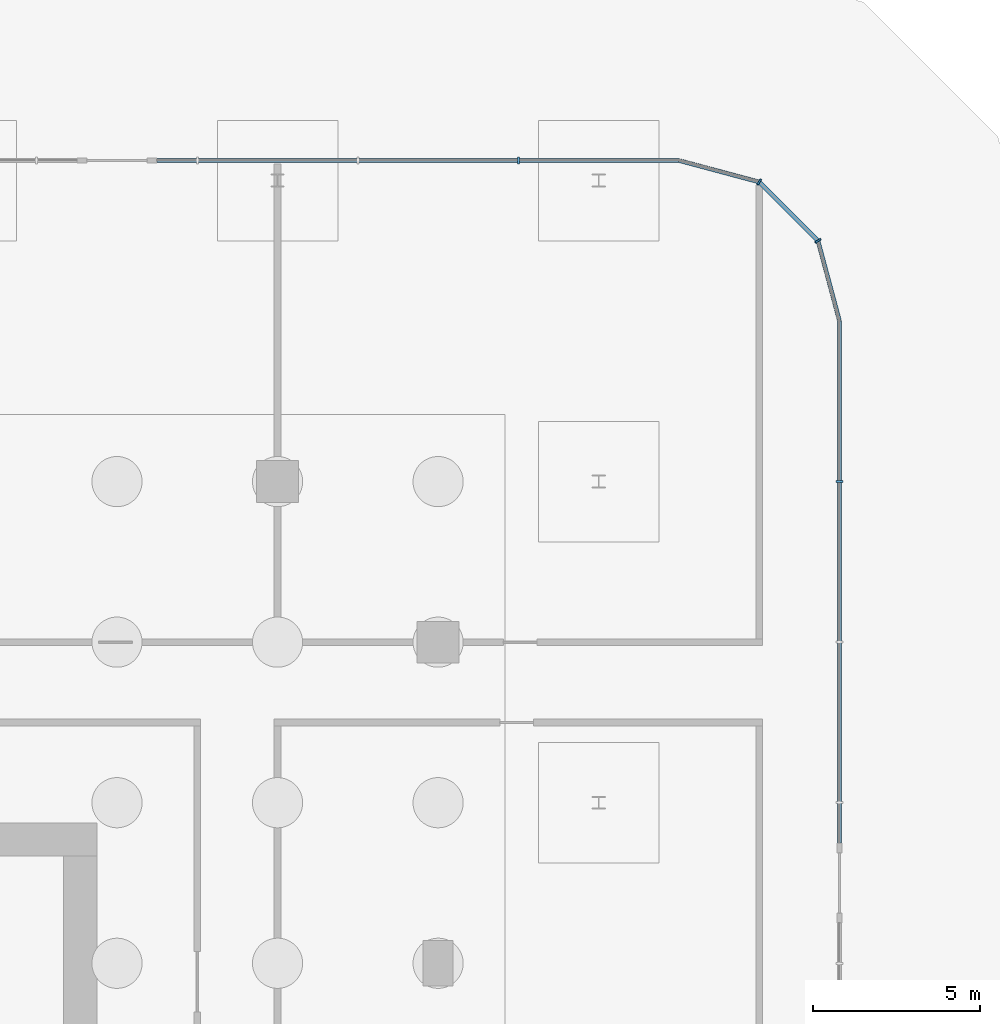
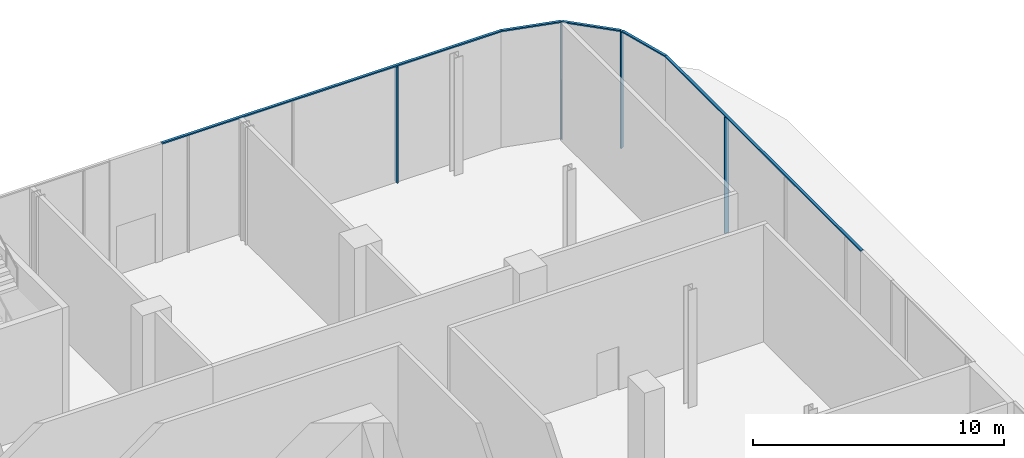
# One storey, part 18 of 44: 9 members, 3 elements without a shape of their own.
"""IFC4 building model written with IfcOpenShell, lengths in metres."""

from ifc_helpers import new_model, si_unit, direction, frame, origin, origin_2d, place, context, subcontext, project, spatial, rectangle, extrude, material, layer, layer_set, material_profile, profile_set, type_object, element, aggregate, save


model = new_model("IFC4")

# Units and contexts
model_context = context("Model", 3, precision=1e-05, world=origin(), true_north=direction((0.0, 1.0)))
body_context = subcontext(model_context, "Body", "Model", "MODEL_VIEW")
ifc_project = project(units=[si_unit("LENGTHUNIT", "METRE"), si_unit("AREAUNIT", "SQUARE_METRE"), si_unit("VOLUMEUNIT", "CUBIC_METRE"), si_unit("PLANEANGLEUNIT", "RADIAN"), si_unit("MASSUNIT", "GRAM", prefix="KILO")], contexts=[model_context])

# Site, building, storey
site_placement = place(None, origin())
site = spatial("IfcSite", under=ifc_project, at=site_placement, CompositionType="ELEMENT")
building_placement = place(site_placement, origin())
building = spatial("IfcBuilding", under=site, at=building_placement, Name="Madar Terraces", CompositionType="ELEMENT")
storey_placement = place(building_placement, origin())
storey = spatial("IfcBuildingStorey", under=building, at=storey_placement, Name="L00", CompositionType="ELEMENT", Elevation=0.0)

# Curtain wall, member
ifc_material_1 = material(Name="Glass, clear low-iron, with black aluminium frame", Category="aluminium")
ifc_layer = layer(ifc_material_1, 0.199951171875)
ifc_layer_set = layer_set([ifc_layer], Name="Facade curtain wall, shopfront glazing")
curtain_wall_type = type_object("IfcCurtainWallType", Name="Facade curtain wall, shopfront glazing", PredefinedType="NOTDEFINED", material=ifc_layer_set)
curtain_wall_1_placement = place(storey_placement, origin())
curtain_wall_1 = element("IfcCurtainWall", 1, at=curtain_wall_1_placement, inside=storey, type_object=curtain_wall_type, Name="Outer skin curtain wall east bay 1", PredefinedType="NOTDEFINED")
ifc_material_2 = material(Name="Aluminium, black anodised", Category="aluminium")
ifc_material_profile_1 = material_profile(ifc_material_2, rectangle(XDim=0.199951171875, YDim=0.06005859375, at=origin_2d()), Name="Facade mullion 60x200")
ifc_profile_set_1 = profile_set([ifc_material_profile_1], Name="Aluminium, black anodised")
member_type_1 = type_object("IfcMemberType", Name="Facade mullion 60x200", PredefinedType="MULLION", material=ifc_profile_set_1)
member_1_placement = place(storey_placement, frame((69.60009765625, 48.0, 0.0), z_axis=(0.0, 0.0, 1.0), x_axis=(-1.0, 0.0, 0.0)))
member_1 = element("IfcMember", 2, at=member_1_placement, type_object=member_type_1, Name="Mullion 18", PredefinedType="MULLION", context=body_context, shape_type="SweptSolid", body=[
    extrude(rectangle(XDim=0.199951171875, YDim=0.06005859375, at=origin_2d()), origin(), (0.0, 0.0, 1.0), 5.639892578125),
])

curtain_wall_2_placement = place(storey_placement, origin())
curtain_wall_2 = element("IfcCurtainWall", 3, at=curtain_wall_2_placement, inside=storey, type_object=curtain_wall_type, Name="Outer skin curtain wall north bay 1", PredefinedType="NOTDEFINED")
member_2_placement = place(storey_placement, frame((60.0, 57.60009765625, 0.0), z_axis=(0.0, 0.0, 1.0), x_axis=(0.0, -1.0, 0.0)))
member_2 = element("IfcMember", 4, at=member_2_placement, type_object=member_type_1, Name="Mullion 1", PredefinedType="MULLION", context=body_context, shape_type="SweptSolid", body=[
    extrude(rectangle(XDim=0.199951171875, YDim=0.06005859375, at=origin_2d()), origin(), (0.0, 0.0, 1.0), 5.639892578125),
])

# Curtain wall, members
curtain_wall_3_placement = place(storey_placement, origin())
curtain_wall_3 = element("IfcCurtainWall", 5, at=curtain_wall_3_placement, inside=storey, type_object=curtain_wall_type, Name="Outer skin curtain wall north-east corner", PredefinedType="NOTDEFINED")
member_3_placement = place(storey_placement, frame((68.95703125, 55.199951171875, 0.0), z_axis=(0.0, 0.0, 1.0), x_axis=(-0.866025409797, -0.499999989586, 0.0)))
member_3 = element("IfcMember", 6, at=member_3_placement, type_object=member_type_1, Name="Mullion 1", PredefinedType="MULLION", context=body_context, shape_type="SweptSolid", body=[
    extrude(rectangle(XDim=0.199951171875, YDim=0.06005859375, at=origin_2d()), origin(), (0.0, 0.0, 1.0), 5.639892578125),
])
member_4_placement = place(storey_placement, frame((67.199951171875, 56.95703125, 0.0), z_axis=(0.0, 0.0, 1.0), x_axis=(-0.499999989586, -0.866025409797, 0.0)))
member_4 = element("IfcMember", 7, at=member_4_placement, type_object=member_type_1, Name="Mullion 2", PredefinedType="MULLION", context=body_context, shape_type="SweptSolid", body=[
    extrude(rectangle(XDim=0.199951171875, YDim=0.06005859375, at=origin_2d()), origin(), (0.0, 0.0, 1.0), 5.639892578125),
])

# Member
ifc_material_3 = material(Name="Aluminium, black anodised", Category="aluminium")
ifc_material_profile_2 = material_profile(ifc_material_3, rectangle(XDim=0.1201171875, YDim=0.06005859375, at=origin_2d()), Name="Facade transom 60x120")
ifc_profile_set_2 = profile_set([ifc_material_profile_2], Name="Aluminium, black anodised")
member_type_2 = type_object("IfcMemberType", Name="Facade transom 60x120", PredefinedType="USERDEFINED", material=ifc_profile_set_2)
member_5_placement = place(storey_placement, frame((69.60009765625, 37.199951171875, 5.669921875), z_axis=(0.0, 1.0, 0.0), x_axis=(-1.0, 0.0, 0.0)))
member_5 = element("IfcMember", 8, at=member_5_placement, type_object=member_type_2, Name="Transom 5", ObjectType="TRANSOM", PredefinedType="USERDEFINED", context=body_context, shape_type="SweptSolid", body=[
    extrude(rectangle(XDim=0.1201171875, YDim=0.06005859375, at=origin_2d()), origin(), (0.0, 0.0, 1.0), 15.60009765625),
])

aggregate(curtain_wall_1, [member_1, member_5])

member_6_placement = place(storey_placement, frame((64.800048828125, 57.60009765625, 5.669921875), z_axis=(-1.0, 0.0, 0.0), x_axis=(0.0, -1.0, 0.0)))
member_6 = element("IfcMember", 9, at=member_6_placement, type_object=member_type_2, Name="Transom 1", ObjectType="TRANSOM", PredefinedType="USERDEFINED", context=body_context, shape_type="SweptSolid", body=[
    extrude(rectangle(XDim=0.1201171875, YDim=0.06005859375, at=origin_2d()), origin(), (0.0, 0.0, 1.0), 15.60009765625),
])

aggregate(curtain_wall_2, [member_2, member_6])

member_7_placement = place(storey_placement, frame((69.60009765625, 52.800048828125, 5.669921875), z_axis=(-0.258881906514, 0.965908980432, 0.0), x_axis=(-0.965908980432, -0.258881906514, 0.0)))
member_7 = element("IfcMember", 10, at=member_7_placement, type_object=member_type_2, Name="Transom 1", ObjectType="TRANSOM", PredefinedType="USERDEFINED", context=body_context, shape_type="SweptSolid", body=[
    extrude(rectangle(XDim=0.1201171875, YDim=0.06005859375, at=origin_2d()), origin(), (0.0, 0.0, 1.0), 2.454833984375),
])

member_8_placement = place(storey_placement, frame((68.935791015625, 55.22119140625, 5.669921875), z_axis=(-0.707106781187, 0.707106781187, 0.0), x_axis=(-0.707106781187, -0.707106781187, 0.0)))
member_8 = element("IfcMember", 11, at=member_8_placement, type_object=member_type_2, Name="Transom 2", ObjectType="TRANSOM", PredefinedType="USERDEFINED", context=body_context, shape_type="SweptSolid", body=[
    extrude(rectangle(XDim=0.1201171875, YDim=0.06005859375, at=origin_2d()), origin(), (0.0, 0.0, 1.0), 2.4248046875),
])

member_9_placement = place(storey_placement, frame((67.171142578125, 56.964599609375, 5.669921875), z_axis=(-0.965908980432, 0.258881906514, 0.0), x_axis=(-0.258881906514, -0.965908980432, 0.0)))
member_9 = element("IfcMember", 12, at=member_9_placement, type_object=member_type_2, Name="Transom 3", ObjectType="TRANSOM", PredefinedType="USERDEFINED", context=body_context, shape_type="SweptSolid", body=[
    extrude(rectangle(XDim=0.1201171875, YDim=0.06005859375, at=origin_2d()), origin(), (0.0, 0.0, 1.0), 2.454833984375),
])

aggregate(curtain_wall_3, [member_3, member_7, member_4, member_8, member_9])

save(model, "model.ifc")
